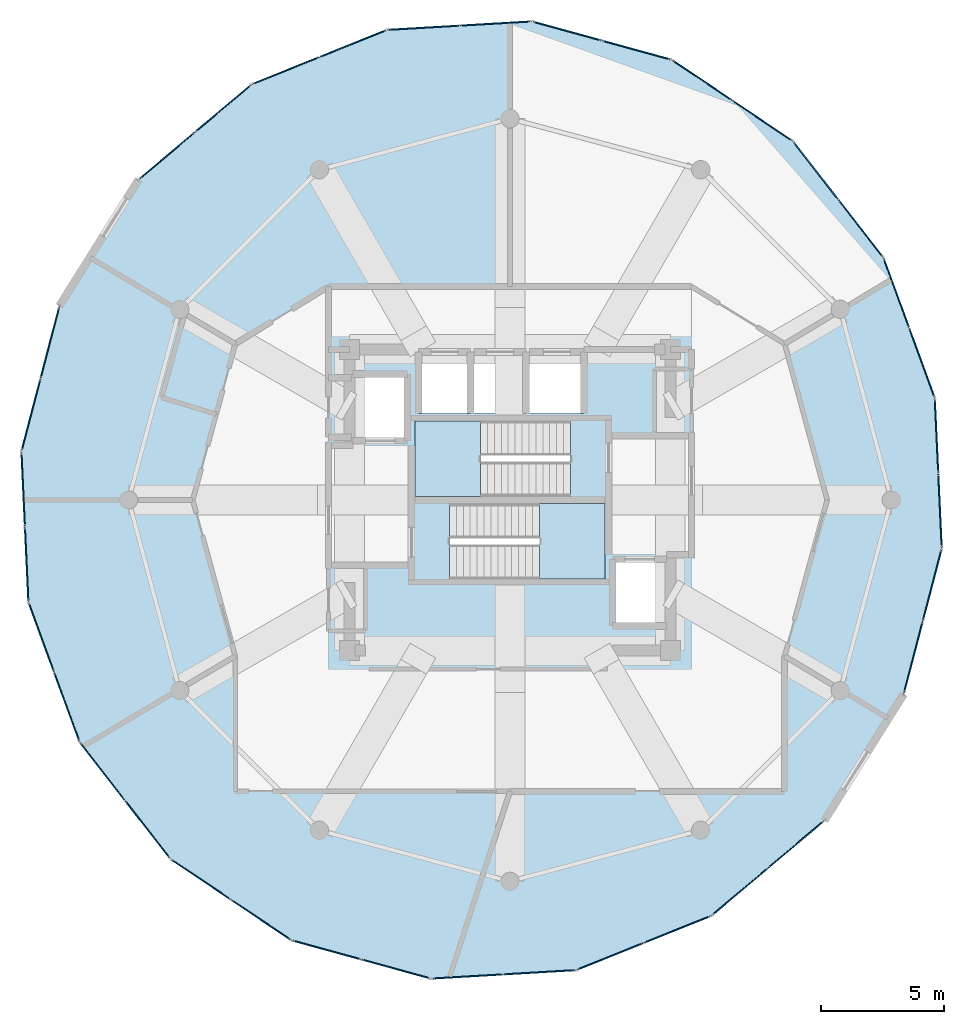
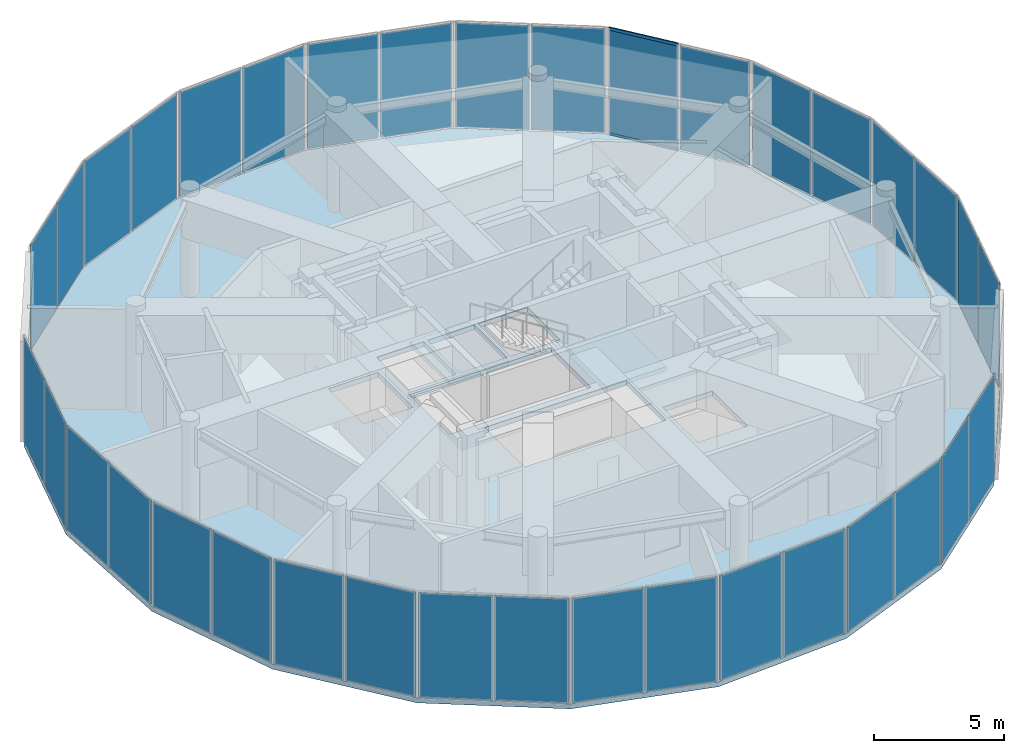
# One storey, part 16 of 20: 36 plates, 3 slabs, 2 members, 20 elements without a shape of their own.
"""IFC4 building model written with IfcOpenShell, lengths in metres."""

from ifc_helpers import new_model, si_unit, direction, frame, origin, origin_2d, place, context, subcontext, project, spatial, polyline, rectangle, hollow_rectangle, outline, extrude, source, transform, mapped, material, layer, layer_set, material_profile, profile_set, type_object, element, aggregate, save


model = new_model("IFC4")

# Units and contexts
model_context = context("Model", 3, precision=1e-05, world=origin(), true_north=direction((0.0, 1.0)))
body_context = subcontext(model_context, "Body", "Model", "MODEL_VIEW")
ifc_project = project(units=[si_unit("LENGTHUNIT", "METRE"), si_unit("AREAUNIT", "SQUARE_METRE"), si_unit("VOLUMEUNIT", "CUBIC_METRE"), si_unit("PLANEANGLEUNIT", "RADIAN"), si_unit("MASSUNIT", "GRAM", prefix="KILO")], contexts=[model_context])

# Site, building, storey
site_placement = place(None, origin())
site = spatial("IfcSite", under=ifc_project, at=site_placement, CompositionType="ELEMENT")
building_placement = place(site_placement, origin())
building = spatial("IfcBuilding", under=site, at=building_placement, Name="Solvirekh Grand Hotel", CompositionType="ELEMENT")
storey_placement = place(building_placement, frame((0.0, 0.0, 297.199951171875)))
storey = spatial("IfcBuildingStorey", under=building, at=storey_placement, Name="L77", CompositionType="ELEMENT", Elevation=297.199951171875)

# Curtain wall, members
ifc_material_1 = material(Name="Anodized Bronze Aluminium 6063-T6", Category="aluminium")
ifc_layer_1 = layer(ifc_material_1, 0.18994140625)
ifc_layer_set_1 = layer_set([ifc_layer_1], Name="Anodized Bronze Aluminium 6063-T6")
curtain_wall_type = type_object("IfcCurtainWallType", Name="CW_Sys5_SkyLobbyPanoramaCW", PredefinedType="NOTDEFINED", material=ifc_layer_set_1)
curtain_wall_1_placement = place(storey_placement, origin())
curtain_wall_1 = element("IfcCurtainWall", 1, at=curtain_wall_1_placement, inside=storey, type_object=curtain_wall_type, Name="L77 unitised bronze-glass curtain wall CW-L77-C08", PredefinedType="NOTDEFINED")
ifc_material_profile = material_profile(ifc_material_1, hollow_rectangle(XDim=0.06005859375, YDim=0.135009765625, WallThickness=0.00390625, at=origin_2d()), Name="ALU RHS 135X60X4")
ifc_profile_set = profile_set([ifc_material_profile], Name="Anodized Bronze Aluminium 6063-T6")
member_type = type_object("IfcMemberType", Name="CWTransom_Sys5", PredefinedType="USERDEFINED", material=ifc_profile_set)
shared_shape_1 = source(origin(), body_context, "Body", "SweptSolid", [
    extrude(hollow_rectangle(XDim=0.06005859375, YDim=0.135009765625, WallThickness=0.00390625, at=origin_2d()), origin(), (0.0, 0.0, 1.0), 2.88720703125),
])
member_1_placement = place(storey_placement, frame((13.275634765625, 12.20263671875, 0.030029296875), z_axis=(-0.613964028864, 0.789334004881, 0.0), x_axis=(-0.789334004881, -0.613964028864, 0.0)))
member_1 = element("IfcMember", 2, at=member_1_placement, type_object=member_type, Name="U05 transom 2.1", ObjectType="TRANSOM", PredefinedType="USERDEFINED", context=body_context, shape_type="MappedRepresentation", body=[
    mapped(shared_shape_1, transform((0.0, 0.0, 0.0), x_axis=(1.0, 0.0, 0.0), y_axis=(0.0, 1.0, 0.0), z_axis=(0.0, 0.0, 1.0), scale=1.0)),
])
member_2_placement = place(storey_placement, frame((13.275634765625, 12.20263671875, 4.969970703125), z_axis=(-0.613964028864, 0.789334004881, 0.0), x_axis=(-0.789334004881, -0.613964028864, 0.0)))
member_2 = element("IfcMember", 3, at=member_2_placement, type_object=member_type, Name="U05 transom 2.2", ObjectType="TRANSOM", PredefinedType="USERDEFINED", context=body_context, shape_type="MappedRepresentation", body=[
    mapped(shared_shape_1, transform((0.0, 0.0, 0.0), x_axis=(1.0, 0.0, 0.0), y_axis=(0.0, 1.0, 0.0), z_axis=(0.0, 0.0, 1.0), scale=1.0)),
])

# Stair, slab
ifc_material_2 = material(Name="Concrete C40/50", Category="concrete")
stair_type = type_object("IfcStairType", Name="Stair_Core_1450", PredefinedType="HALF_TURN_STAIR", material=ifc_material_2)
stair_1_placement = place(storey_placement, origin())
stair_1 = element("IfcStair", 4, at=stair_1_placement, inside=storey, type_object=stair_type, Name="L77 Enclosed exit stair ST-1", PredefinedType="HALF_TURN_STAIR")
ifc_layer_2 = layer(ifc_material_2, 0.199951171875)
ifc_layer_set_2 = layer_set([ifc_layer_2], Name="Concrete C40/50")
slab_type_1 = type_object("IfcSlabType", Name="Landing_Stair_200", PredefinedType="LANDING", material=ifc_layer_set_2)
slab_1_placement = place(storey_placement, frame((0.0, 0.0, 2.300048828125)))
slab_1 = element("IfcSlab", 5, at=slab_1_placement, type_object=slab_type_1, Name="ST-1 landing 1", PredefinedType="LANDING", context=body_context, shape_type="SweptSolid", body=[
    extrude(outline(polyline([(1.18994140625, -3.199951171875), (3.85009765625, -3.199951171875), (3.85009765625, -0.14990234375), (1.18994140625, -0.14990234375), (1.18994140625, -3.199951171875)])), origin(), (0.0, 0.0, 1.0), 0.199951171875),
])
aggregate(stair_1, [slab_1])

stair_2_placement = place(storey_placement, origin())
stair_2 = element("IfcStair", 6, at=stair_2_placement, inside=storey, type_object=stair_type, Name="L77 Enclosed exit stair ST-2", PredefinedType="HALF_TURN_STAIR")
slab_2_placement = place(storey_placement, frame((0.0, 0.0, 2.300048828125)))
slab_2 = element("IfcSlab", 7, at=slab_2_placement, type_object=slab_type_1, Name="ST-2 landing 1", PredefinedType="LANDING", context=body_context, shape_type="SweptSolid", body=[
    extrude(outline(polyline([(-1.18994140625, 3.199951171875), (-3.85009765625, 3.199951171875), (-3.85009765625, 0.14990234375), (-1.18994140625, 0.14990234375), (-1.18994140625, 3.199951171875)])), origin(), (0.0, 0.0, 1.0), 0.199951171875),
])
aggregate(stair_2, [slab_2])

# Slab
ifc_layer_3 = layer(ifc_material_2, 0.22998046875)
ifc_layer_set_3 = layer_set([ifc_layer_3], Name="Concrete C40/50")
slab_type_2 = type_object("IfcSlabType", Name="Slab_GuestZ4_230", PredefinedType="FLOOR", material=ifc_layer_set_3)
slab_3_placement = place(storey_placement, frame((0.0, 0.0, -0.22998046875)))
element("IfcSlab", 8, at=slab_3_placement, inside=storey, type_object=slab_type_2, Name="L77 structural floor slab", PredefinedType="FLOOR", context=body_context, shape_type="SweptSolid", body=[
    extrude(outline(polyline([(-3.18798828125, -19.39306640625), (2.674072265625, -19.050048828125), (8.162109375, -16.841064453125), (12.738037109375, -12.985107421875), (15.955078125, -7.85693359375), (17.4970703125, -1.9599609375), (17.214111328125, 4.12890625), (15.134033203125, 9.81298828125), (11.4599609375, 14.537109375), (6.551025390625, 17.837890625), (0.887939453125, 19.39306640625), (-4.97412109375, 19.050048828125), (-10.4619140625, 16.841064453125), (-15.0380859375, 12.985107421875), (-18.2548828125, 7.85693359375), (-19.797119140625, 1.9599609375), (-19.513916015625, -4.12890625), (-17.43408203125, -9.81298828125), (-13.760009765625, -14.537109375), (-8.85107421875, -17.837890625), (-3.18798828125, -19.39306640625)]), holes=[polyline([(-2.444091796875, -0.14990234375), (3.85009765625, -0.14990234375), (3.85009765625, -3.199951171875), (-2.444091796875, -3.199951171875), (-2.444091796875, -0.14990234375)]), polyline([(2.444091796875, 0.14990234375), (-3.85009765625, 0.14990234375), (-3.85009765625, 3.199951171875), (2.444091796875, 3.199951171875), (2.444091796875, 0.14990234375)]), polyline([(-3.699951171875, 6.0), (-1.60009765625, 6.0), (-1.60009765625, 3.5), (-3.699951171875, 3.5), (-3.699951171875, 6.0)]), polyline([(-1.449951171875, 6.0), (0.64990234375, 6.0), (0.64990234375, 3.5), (-1.449951171875, 3.5), (-1.449951171875, 6.0)]), polyline([(0.800048828125, 6.0), (3.0, 6.0), (3.0, 3.5), (0.800048828125, 3.5), (0.800048828125, 6.0)]), polyline([(-6.35009765625, 5.10009765625), (-4.14990234375, 5.10009765625), (-4.14990234375, 2.39990234375), (-6.35009765625, 2.39990234375), (-6.35009765625, 5.10009765625)]), polyline([(4.14990234375, -2.39990234375), (6.35009765625, -2.39990234375), (6.35009765625, -5.10009765625), (4.14990234375, -5.10009765625), (4.14990234375, -2.39990234375)])]), origin(), (0.0, 0.0, 1.0), 0.22998046875),
])

# Curtain wall, plates
curtain_wall_2_placement = place(storey_placement, origin())
curtain_wall_2 = element("IfcCurtainWall", 9, at=curtain_wall_2_placement, inside=storey, type_object=curtain_wall_type, Name="L77 unitised bronze-glass curtain wall CW-L77-C01", PredefinedType="NOTDEFINED")
ifc_material_3 = material(Name="Low-E Tinted Bronze Laminated Glass", Category="aluminium")
ifc_layer_4 = layer(ifc_material_3, 0.0419921875)
ifc_layer_set_4 = layer_set([ifc_layer_4], Name="Low-E Tinted Bronze Laminated Glass")
plate_type = type_object("IfcPlateType", Name="CWPanel_SkyLobby_42", PredefinedType="CURTAIN_PANEL", material=ifc_layer_set_4)
shared_shape_2 = source(origin(), body_context, "Body", "SweptSolid", [
    extrude(rectangle(XDim=2.8310546875, YDim=0.0419921875, at=origin_2d()), origin(), (0.0, 0.0, 1.0), 4.8798828125),
])
plate_1_placement = place(storey_placement, frame((-1.705078125, -19.30615234375, 0.06005859375), z_axis=(0.0, 0.0, 1.0), x_axis=(0.998292529578, 0.058412544796, 0.0)))
plate_1 = element("IfcPlate", 10, at=plate_1_placement, type_object=plate_type, Name="U05 panel 1.1", PredefinedType="CURTAIN_PANEL", context=body_context, shape_type="MappedRepresentation", body=[
    mapped(shared_shape_2, transform((0.0, 0.0, 0.0), x_axis=(1.0, 0.0, 0.0), y_axis=(0.0, 1.0, 0.0), z_axis=(0.0, 0.0, 1.0), scale=1.0)),
])
plate_2_placement = place(storey_placement, frame((1.19091796875, -19.13671875, 0.06005859375), z_axis=(0.0, 0.0, 1.0), x_axis=(0.998292529578, 0.058412544796, 0.0)))
plate_2 = element("IfcPlate", 11, at=plate_2_placement, type_object=plate_type, Name="U05 panel 2.1", PredefinedType="CURTAIN_PANEL", context=body_context, shape_type="MappedRepresentation", body=[
    mapped(shared_shape_2, transform((0.0, 0.0, 0.0), x_axis=(1.0, 0.0, 0.0), y_axis=(0.0, 1.0, 0.0), z_axis=(0.0, 0.0, 1.0), scale=1.0)),
])
aggregate(curtain_wall_2, [plate_1, plate_2])

curtain_wall_3_placement = place(storey_placement, origin())
curtain_wall_3 = element("IfcCurtainWall", 12, at=curtain_wall_3_placement, inside=storey, type_object=curtain_wall_type, Name="L77 unitised bronze-glass curtain wall CW-L77-C11", PredefinedType="NOTDEFINED")
plate_3_placement = place(storey_placement, frame((-0.594970703125, 19.30615234375, 0.06005859375), z_axis=(0.0, 0.0, 1.0), x_axis=(-0.998292529578, -0.058412544796, 0.0)))
plate_3 = element("IfcPlate", 13, at=plate_3_placement, type_object=plate_type, Name="U05 panel 1.1", PredefinedType="CURTAIN_PANEL", context=body_context, shape_type="MappedRepresentation", body=[
    mapped(shared_shape_2, transform((0.0, 0.0, 0.0), x_axis=(1.0, 0.0, 0.0), y_axis=(0.0, 1.0, 0.0), z_axis=(0.0, 0.0, 1.0), scale=1.0)),
])
plate_4_placement = place(storey_placement, frame((-3.490966796875, 19.13671875, 0.06005859375), z_axis=(0.0, 0.0, 1.0), x_axis=(-0.998292529578, -0.058412544796, 0.0)))
plate_4 = element("IfcPlate", 14, at=plate_4_placement, type_object=plate_type, Name="U05 panel 2.1", PredefinedType="CURTAIN_PANEL", context=body_context, shape_type="MappedRepresentation", body=[
    mapped(shared_shape_2, transform((0.0, 0.0, 0.0), x_axis=(1.0, 0.0, 0.0), y_axis=(0.0, 1.0, 0.0), z_axis=(0.0, 0.0, 1.0), scale=1.0)),
])
aggregate(curtain_wall_3, [plate_3, plate_4])

curtain_wall_4_placement = place(storey_placement, origin())
curtain_wall_4 = element("IfcCurtainWall", 15, at=curtain_wall_4_placement, inside=storey, type_object=curtain_wall_type, Name="L77 unitised bronze-glass curtain wall CW-L77-C02", PredefinedType="NOTDEFINED")
shared_shape_3 = source(origin(), body_context, "Body", "SweptSolid", [
    extrude(rectangle(XDim=2.85302734375, YDim=0.0419921875, at=origin_2d()), origin(), (0.0, 0.0, 1.0), 4.8798828125),
])
plate_5_placement = place(storey_placement, frame((4.062255859375, -18.4912109375, 0.06005859375), z_axis=(0.0, 0.0, 1.0), x_axis=(0.927670134475, 0.373400752013, 0.0)))
plate_5 = element("IfcPlate", 16, at=plate_5_placement, type_object=plate_type, Name="U05 panel 1.1", PredefinedType="CURTAIN_PANEL", context=body_context, shape_type="MappedRepresentation", body=[
    mapped(shared_shape_3, transform((0.0, 0.0, 0.0), x_axis=(1.0, 0.0, 0.0), y_axis=(0.0, 1.0, 0.0), z_axis=(0.0, 0.0, 1.0), scale=1.0)),
])
plate_6_placement = place(storey_placement, frame((6.773681640625, -17.39990234375, 0.06005859375), z_axis=(0.0, 0.0, 1.0), x_axis=(0.927670134475, 0.373400752013, 0.0)))
plate_6 = element("IfcPlate", 17, at=plate_6_placement, type_object=plate_type, Name="U05 panel 2.1", PredefinedType="CURTAIN_PANEL", context=body_context, shape_type="MappedRepresentation", body=[
    mapped(shared_shape_3, transform((0.0, 0.0, 0.0), x_axis=(1.0, 0.0, 0.0), y_axis=(0.0, 1.0, 0.0), z_axis=(0.0, 0.0, 1.0), scale=1.0)),
])
aggregate(curtain_wall_4, [plate_5, plate_6])

curtain_wall_5_placement = place(storey_placement, origin())
curtain_wall_5 = element("IfcCurtainWall", 18, at=curtain_wall_5_placement, inside=storey, type_object=curtain_wall_type, Name="L77 unitised bronze-glass curtain wall CW-L77-C12", PredefinedType="NOTDEFINED")
plate_7_placement = place(storey_placement, frame((-6.3623046875, 18.4912109375, 0.06005859375), z_axis=(0.0, 0.0, 1.0), x_axis=(-0.927670134475, -0.373400752013, 0.0)))
plate_7 = element("IfcPlate", 19, at=plate_7_placement, type_object=plate_type, Name="U05 panel 1.1", PredefinedType="CURTAIN_PANEL", context=body_context, shape_type="MappedRepresentation", body=[
    mapped(shared_shape_3, transform((0.0, 0.0, 0.0), x_axis=(1.0, 0.0, 0.0), y_axis=(0.0, 1.0, 0.0), z_axis=(0.0, 0.0, 1.0), scale=1.0)),
])
plate_8_placement = place(storey_placement, frame((-9.07373046875, 17.39990234375, 0.06005859375), z_axis=(0.0, 0.0, 1.0), x_axis=(-0.927670134475, -0.373400752013, 0.0)))
plate_8 = element("IfcPlate", 20, at=plate_8_placement, type_object=plate_type, Name="U05 panel 2.1", PredefinedType="CURTAIN_PANEL", context=body_context, shape_type="MappedRepresentation", body=[
    mapped(shared_shape_3, transform((0.0, 0.0, 0.0), x_axis=(1.0, 0.0, 0.0), y_axis=(0.0, 1.0, 0.0), z_axis=(0.0, 0.0, 1.0), scale=1.0)),
])
aggregate(curtain_wall_5, [plate_7, plate_8])

curtain_wall_6_placement = place(storey_placement, origin())
curtain_wall_6 = element("IfcCurtainWall", 21, at=curtain_wall_6_placement, inside=storey, type_object=curtain_wall_type, Name="L77 unitised bronze-glass curtain wall CW-L77-C03", PredefinedType="NOTDEFINED")
shared_shape_4 = source(origin(), body_context, "Body", "SweptSolid", [
    extrude(rectangle(XDim=2.886962890625, YDim=0.0419921875, at=origin_2d()), origin(), (0.0, 0.0, 1.0), 4.8798828125),
])
plate_9_placement = place(storey_placement, frame((9.3193359375, -15.86572265625, 0.06005859375), z_axis=(0.0, 0.0, 1.0), x_axis=(0.764703148856, 0.644382723333, 0.0)))
plate_9 = element("IfcPlate", 22, at=plate_9_placement, type_object=plate_type, Name="U05 panel 1.1", PredefinedType="CURTAIN_PANEL", context=body_context, shape_type="MappedRepresentation", body=[
    mapped(shared_shape_4, transform((0.0, 0.0, 0.0), x_axis=(1.0, 0.0, 0.0), y_axis=(0.0, 1.0, 0.0), z_axis=(0.0, 0.0, 1.0), scale=1.0)),
])
plate_10_placement = place(storey_placement, frame((11.58056640625, -13.960205078125, 0.06005859375), z_axis=(0.0, 0.0, 1.0), x_axis=(0.764703148856, 0.644382723333, 0.0)))
plate_10 = element("IfcPlate", 23, at=plate_10_placement, type_object=plate_type, Name="U05 panel 2.1", PredefinedType="CURTAIN_PANEL", context=body_context, shape_type="MappedRepresentation", body=[
    mapped(shared_shape_4, transform((0.0, 0.0, 0.0), x_axis=(1.0, 0.0, 0.0), y_axis=(0.0, 1.0, 0.0), z_axis=(0.0, 0.0, 1.0), scale=1.0)),
])
aggregate(curtain_wall_6, [plate_9, plate_10])

curtain_wall_7_placement = place(storey_placement, origin())
curtain_wall_7 = element("IfcCurtainWall", 24, at=curtain_wall_7_placement, inside=storey, type_object=curtain_wall_type, Name="L77 unitised bronze-glass curtain wall CW-L77-C13", PredefinedType="NOTDEFINED")
plate_11_placement = place(storey_placement, frame((-11.619384765625, 15.86572265625, 0.06005859375), z_axis=(0.0, 0.0, 1.0), x_axis=(-0.764703148856, -0.644382723333, 0.0)))
plate_11 = element("IfcPlate", 25, at=plate_11_placement, type_object=plate_type, Name="U05 panel 1.1", PredefinedType="CURTAIN_PANEL", context=body_context, shape_type="MappedRepresentation", body=[
    mapped(shared_shape_4, transform((0.0, 0.0, 0.0), x_axis=(1.0, 0.0, 0.0), y_axis=(0.0, 1.0, 0.0), z_axis=(0.0, 0.0, 1.0), scale=1.0)),
])
plate_12_placement = place(storey_placement, frame((-13.880615234375, 13.960205078125, 0.06005859375), z_axis=(0.0, 0.0, 1.0), x_axis=(-0.764703148856, -0.644382723333, 0.0)))
plate_12 = element("IfcPlate", 26, at=plate_12_placement, type_object=plate_type, Name="U05 panel 2.1", PredefinedType="CURTAIN_PANEL", context=body_context, shape_type="MappedRepresentation", body=[
    mapped(shared_shape_4, transform((0.0, 0.0, 0.0), x_axis=(1.0, 0.0, 0.0), y_axis=(0.0, 1.0, 0.0), z_axis=(0.0, 0.0, 1.0), scale=1.0)),
])
aggregate(curtain_wall_7, [plate_11, plate_12])

curtain_wall_8_placement = place(storey_placement, origin())
curtain_wall_8 = element("IfcCurtainWall", 27, at=curtain_wall_8_placement, inside=storey, type_object=curtain_wall_type, Name="L77 unitised bronze-glass curtain wall CW-L77-C05", PredefinedType="NOTDEFINED")
shared_shape_5 = source(origin(), body_context, "Body", "SweptSolid", [
    extrude(rectangle(XDim=2.942626953125, YDim=0.0419921875, at=origin_2d()), origin(), (0.0, 0.0, 1.0), 4.8798828125),
])
plate_13_placement = place(storey_placement, frame((16.344970703125, -6.36572265625, 0.06005859375), z_axis=(0.0, 0.0, 1.0), x_axis=(0.252982857998, 0.967470761088, 0.0)))
plate_13 = element("IfcPlate", 28, at=plate_13_placement, type_object=plate_type, Name="U05 panel 1.1", PredefinedType="CURTAIN_PANEL", context=body_context, shape_type="MappedRepresentation", body=[
    mapped(shared_shape_5, transform((0.0, 0.0, 0.0), x_axis=(1.0, 0.0, 0.0), y_axis=(0.0, 1.0, 0.0), z_axis=(0.0, 0.0, 1.0), scale=1.0)),
])
plate_14_placement = place(storey_placement, frame((17.107177734375, -3.451171875, 0.06005859375), z_axis=(0.0, 0.0, 1.0), x_axis=(0.252982857998, 0.967470761088, 0.0)))
plate_14 = element("IfcPlate", 29, at=plate_14_placement, type_object=plate_type, Name="U05 panel 2.1", PredefinedType="CURTAIN_PANEL", context=body_context, shape_type="MappedRepresentation", body=[
    mapped(shared_shape_5, transform((0.0, 0.0, 0.0), x_axis=(1.0, 0.0, 0.0), y_axis=(0.0, 1.0, 0.0), z_axis=(0.0, 0.0, 1.0), scale=1.0)),
])
aggregate(curtain_wall_8, [plate_13, plate_14])

curtain_wall_9_placement = place(storey_placement, origin())
curtain_wall_9 = element("IfcCurtainWall", 30, at=curtain_wall_9_placement, inside=storey, type_object=curtain_wall_type, Name="L77 unitised bronze-glass curtain wall CW-L77-C15", PredefinedType="NOTDEFINED")
plate_15_placement = place(storey_placement, frame((-18.64501953125, 6.36572265625, 0.06005859375), z_axis=(0.0, 0.0, 1.0), x_axis=(-0.252982857998, -0.967470761088, 0.0)))
plate_15 = element("IfcPlate", 31, at=plate_15_placement, type_object=plate_type, Name="U05 panel 1.1", PredefinedType="CURTAIN_PANEL", context=body_context, shape_type="MappedRepresentation", body=[
    mapped(shared_shape_5, transform((0.0, 0.0, 0.0), x_axis=(1.0, 0.0, 0.0), y_axis=(0.0, 1.0, 0.0), z_axis=(0.0, 0.0, 1.0), scale=1.0)),
])
plate_16_placement = place(storey_placement, frame((-19.406982421875, 3.451171875, 0.06005859375), z_axis=(0.0, 0.0, 1.0), x_axis=(-0.252982857998, -0.967470761088, 0.0)))
plate_16 = element("IfcPlate", 32, at=plate_16_placement, type_object=plate_type, Name="U05 panel 2.1", PredefinedType="CURTAIN_PANEL", context=body_context, shape_type="MappedRepresentation", body=[
    mapped(shared_shape_5, transform((0.0, 0.0, 0.0), x_axis=(1.0, 0.0, 0.0), y_axis=(0.0, 1.0, 0.0), z_axis=(0.0, 0.0, 1.0), scale=1.0)),
])
aggregate(curtain_wall_9, [plate_15, plate_16])

curtain_wall_10_placement = place(storey_placement, origin())
curtain_wall_10 = element("IfcCurtainWall", 33, at=curtain_wall_10_placement, inside=storey, type_object=curtain_wall_type, Name="L77 unitised bronze-glass curtain wall CW-L77-C06", PredefinedType="NOTDEFINED")
shared_shape_6 = source(origin(), body_context, "Body", "SweptSolid", [
    extrude(rectangle(XDim=2.94287109375, YDim=0.0419921875, at=origin_2d()), origin(), (0.0, 0.0, 1.0), 4.8798828125),
])
plate_17_placement = place(storey_placement, frame((17.425537109375, -0.420166015625, 0.06005859375), z_axis=(0.0, 0.0, 1.0), x_axis=(-0.046427136666, 0.998921679103, 0.0)))
plate_17 = element("IfcPlate", 34, at=plate_17_placement, type_object=plate_type, Name="U05 panel 1.1", PredefinedType="CURTAIN_PANEL", context=body_context, shape_type="MappedRepresentation", body=[
    mapped(shared_shape_6, transform((0.0, 0.0, 0.0), x_axis=(1.0, 0.0, 0.0), y_axis=(0.0, 1.0, 0.0), z_axis=(0.0, 0.0, 1.0), scale=1.0)),
])
plate_18_placement = place(storey_placement, frame((17.28564453125, 2.58935546875, 0.06005859375), z_axis=(0.0, 0.0, 1.0), x_axis=(-0.046427136666, 0.998921679103, 0.0)))
plate_18 = element("IfcPlate", 35, at=plate_18_placement, type_object=plate_type, Name="U05 panel 2.1", PredefinedType="CURTAIN_PANEL", context=body_context, shape_type="MappedRepresentation", body=[
    mapped(shared_shape_6, transform((0.0, 0.0, 0.0), x_axis=(1.0, 0.0, 0.0), y_axis=(0.0, 1.0, 0.0), z_axis=(0.0, 0.0, 1.0), scale=1.0)),
])
aggregate(curtain_wall_10, [plate_17, plate_18])

curtain_wall_11_placement = place(storey_placement, origin())
curtain_wall_11 = element("IfcCurtainWall", 36, at=curtain_wall_11_placement, inside=storey, type_object=curtain_wall_type, Name="L77 unitised bronze-glass curtain wall CW-L77-C16", PredefinedType="NOTDEFINED")
plate_19_placement = place(storey_placement, frame((-19.725341796875, 0.420166015625, 0.06005859375), z_axis=(0.0, 0.0, 1.0), x_axis=(0.046427136666, -0.998921679103, 0.0)))
plate_19 = element("IfcPlate", 37, at=plate_19_placement, type_object=plate_type, Name="U05 panel 1.1", PredefinedType="CURTAIN_PANEL", context=body_context, shape_type="MappedRepresentation", body=[
    mapped(shared_shape_6, transform((0.0, 0.0, 0.0), x_axis=(1.0, 0.0, 0.0), y_axis=(0.0, 1.0, 0.0), z_axis=(0.0, 0.0, 1.0), scale=1.0)),
])
plate_20_placement = place(storey_placement, frame((-19.58544921875, -2.58935546875, 0.06005859375), z_axis=(0.0, 0.0, 1.0), x_axis=(0.046427136666, -0.998921679103, 0.0)))
plate_20 = element("IfcPlate", 38, at=plate_20_placement, type_object=plate_type, Name="U05 panel 2.1", PredefinedType="CURTAIN_PANEL", context=body_context, shape_type="MappedRepresentation", body=[
    mapped(shared_shape_6, transform((0.0, 0.0, 0.0), x_axis=(1.0, 0.0, 0.0), y_axis=(0.0, 1.0, 0.0), z_axis=(0.0, 0.0, 1.0), scale=1.0)),
])
aggregate(curtain_wall_11, [plate_19, plate_20])

curtain_wall_12_placement = place(storey_placement, origin())
curtain_wall_12 = element("IfcCurtainWall", 39, at=curtain_wall_12_placement, inside=storey, type_object=curtain_wall_type, Name="L77 unitised bronze-glass curtain wall CW-L77-C07", PredefinedType="NOTDEFINED")
shared_shape_7 = source(origin(), body_context, "Body", "SweptSolid", [
    extrude(rectangle(XDim=2.92138671875, YDim=0.0419921875, at=origin_2d()), origin(), (0.0, 0.0, 1.0), 4.8798828125),
])
plate_21_placement = place(storey_placement, frame((16.68798828125, 5.56640625, 0.06005859375), z_axis=(0.0, 0.0, 1.0), x_axis=(-0.343652610251, 0.939096844563, 0.0)))
plate_21 = element("IfcPlate", 40, at=plate_21_placement, type_object=plate_type, Name="U05 panel 1.1", PredefinedType="CURTAIN_PANEL", context=body_context, shape_type="MappedRepresentation", body=[
    mapped(shared_shape_7, transform((0.0, 0.0, 0.0), x_axis=(1.0, 0.0, 0.0), y_axis=(0.0, 1.0, 0.0), z_axis=(0.0, 0.0, 1.0), scale=1.0)),
])
plate_22_placement = place(storey_placement, frame((15.659912109375, 8.37548828125, 0.06005859375), z_axis=(0.0, 0.0, 1.0), x_axis=(-0.343652610251, 0.939096844563, 0.0)))
plate_22 = element("IfcPlate", 41, at=plate_22_placement, type_object=plate_type, Name="U05 panel 2.1", PredefinedType="CURTAIN_PANEL", context=body_context, shape_type="MappedRepresentation", body=[
    mapped(shared_shape_7, transform((0.0, 0.0, 0.0), x_axis=(1.0, 0.0, 0.0), y_axis=(0.0, 1.0, 0.0), z_axis=(0.0, 0.0, 1.0), scale=1.0)),
])
aggregate(curtain_wall_12, [plate_21, plate_22])

curtain_wall_13_placement = place(storey_placement, origin())
curtain_wall_13 = element("IfcCurtainWall", 42, at=curtain_wall_13_placement, inside=storey, type_object=curtain_wall_type, Name="L77 unitised bronze-glass curtain wall CW-L77-C17", PredefinedType="NOTDEFINED")
plate_23_placement = place(storey_placement, frame((-18.988037109375, -5.56640625, 0.06005859375), z_axis=(0.0, 0.0, 1.0), x_axis=(0.343652610251, -0.939096844563, 0.0)))
plate_23 = element("IfcPlate", 43, at=plate_23_placement, type_object=plate_type, Name="U05 panel 1.1", PredefinedType="CURTAIN_PANEL", context=body_context, shape_type="MappedRepresentation", body=[
    mapped(shared_shape_7, transform((0.0, 0.0, 0.0), x_axis=(1.0, 0.0, 0.0), y_axis=(0.0, 1.0, 0.0), z_axis=(0.0, 0.0, 1.0), scale=1.0)),
])
plate_24_placement = place(storey_placement, frame((-17.9599609375, -8.37548828125, 0.06005859375), z_axis=(0.0, 0.0, 1.0), x_axis=(0.343652610251, -0.939096844563, 0.0)))
plate_24 = element("IfcPlate", 44, at=plate_24_placement, type_object=plate_type, Name="U05 panel 2.1", PredefinedType="CURTAIN_PANEL", context=body_context, shape_type="MappedRepresentation", body=[
    mapped(shared_shape_7, transform((0.0, 0.0, 0.0), x_axis=(1.0, 0.0, 0.0), y_axis=(0.0, 1.0, 0.0), z_axis=(0.0, 0.0, 1.0), scale=1.0)),
])
aggregate(curtain_wall_13, [plate_23, plate_24])

# Plate
shared_shape_8 = source(origin(), body_context, "Body", "SweptSolid", [
    extrude(rectangle(XDim=2.88720703125, YDim=0.0419921875, at=origin_2d()), origin(), (0.0, 0.0, 1.0), 4.8798828125),
])
plate_25_placement = place(storey_placement, frame((14.204833984375, 11.0078125, 0.06005859375), z_axis=(0.0, 0.0, 1.0), x_axis=(-0.613917476624, 0.789370212192, 0.0)))
plate_25 = element("IfcPlate", 45, at=plate_25_placement, type_object=plate_type, Name="U05 panel 1.1", PredefinedType="CURTAIN_PANEL", context=body_context, shape_type="MappedRepresentation", body=[
    mapped(shared_shape_8, transform((0.0, 0.0, 0.0), x_axis=(1.0, 0.0, 0.0), y_axis=(0.0, 1.0, 0.0), z_axis=(0.0, 0.0, 1.0), scale=1.0)),
])

plate_26_placement = place(storey_placement, frame((12.38916015625, 13.34228515625, 0.06005859375), z_axis=(0.0, 0.0, 1.0), x_axis=(-0.613917476624, 0.789370212192, 0.0)))
plate_26 = element("IfcPlate", 46, at=plate_26_placement, type_object=plate_type, Name="U05 panel 2.1", PredefinedType="CURTAIN_PANEL", context=body_context, shape_type="MappedRepresentation", body=[
    mapped(shared_shape_8, transform((0.0, 0.0, 0.0), x_axis=(1.0, 0.0, 0.0), y_axis=(0.0, 1.0, 0.0), z_axis=(0.0, 0.0, 1.0), scale=1.0)),
])

aggregate(curtain_wall_1, [plate_25, member_1, member_2, plate_26])

# Curtain wall, plates
curtain_wall_14_placement = place(storey_placement, origin())
curtain_wall_14 = element("IfcCurtainWall", 47, at=curtain_wall_14_placement, inside=storey, type_object=curtain_wall_type, Name="L77 unitised bronze-glass curtain wall CW-L77-C18", PredefinedType="NOTDEFINED")
plate_27_placement = place(storey_placement, frame((-16.504638671875, -11.0078125, 0.06005859375), z_axis=(0.0, 0.0, 1.0), x_axis=(0.613917476624, -0.789370212192, 0.0)))
plate_27 = element("IfcPlate", 48, at=plate_27_placement, type_object=plate_type, Name="U05 panel 1.1", PredefinedType="CURTAIN_PANEL", context=body_context, shape_type="MappedRepresentation", body=[
    mapped(shared_shape_8, transform((0.0, 0.0, 0.0), x_axis=(1.0, 0.0, 0.0), y_axis=(0.0, 1.0, 0.0), z_axis=(0.0, 0.0, 1.0), scale=1.0)),
])
plate_28_placement = place(storey_placement, frame((-14.689208984375, -13.34228515625, 0.06005859375), z_axis=(0.0, 0.0, 1.0), x_axis=(0.613917476624, -0.789370212192, 0.0)))
plate_28 = element("IfcPlate", 49, at=plate_28_placement, type_object=plate_type, Name="U05 panel 2.1", PredefinedType="CURTAIN_PANEL", context=body_context, shape_type="MappedRepresentation", body=[
    mapped(shared_shape_8, transform((0.0, 0.0, 0.0), x_axis=(1.0, 0.0, 0.0), y_axis=(0.0, 1.0, 0.0), z_axis=(0.0, 0.0, 1.0), scale=1.0)),
])
aggregate(curtain_wall_14, [plate_27, plate_28])

curtain_wall_15_placement = place(storey_placement, origin())
curtain_wall_15 = element("IfcCurtainWall", 50, at=curtain_wall_15_placement, inside=storey, type_object=curtain_wall_type, Name="L77 unitised bronze-glass curtain wall CW-L77-C09", PredefinedType="NOTDEFINED")
shared_shape_9 = source(origin(), body_context, "Body", "SweptSolid", [
    extrude(rectangle(XDim=2.852783203125, YDim=0.0419921875, at=origin_2d()), origin(), (0.0, 0.0, 1.0), 4.8798828125),
])
plate_29_placement = place(storey_placement, frame((10.21826171875, 15.3720703125, 0.06005859375), z_axis=(0.0, 0.0, 1.0), x_axis=(-0.829833122168, 0.558011639084, 0.0)))
plate_29 = element("IfcPlate", 51, at=plate_29_placement, type_object=plate_type, Name="U05 panel 1.1", PredefinedType="CURTAIN_PANEL", context=body_context, shape_type="MappedRepresentation", body=[
    mapped(shared_shape_9, transform((0.0, 0.0, 0.0), x_axis=(1.0, 0.0, 0.0), y_axis=(0.0, 1.0, 0.0), z_axis=(0.0, 0.0, 1.0), scale=1.0)),
])
plate_30_placement = place(storey_placement, frame((7.792724609375, 17.0029296875, 0.06005859375), z_axis=(0.0, 0.0, 1.0), x_axis=(-0.829833122168, 0.558011639084, 0.0)))
plate_30 = element("IfcPlate", 52, at=plate_30_placement, type_object=plate_type, Name="U05 panel 2.1", PredefinedType="CURTAIN_PANEL", context=body_context, shape_type="MappedRepresentation", body=[
    mapped(shared_shape_9, transform((0.0, 0.0, 0.0), x_axis=(1.0, 0.0, 0.0), y_axis=(0.0, 1.0, 0.0), z_axis=(0.0, 0.0, 1.0), scale=1.0)),
])
aggregate(curtain_wall_15, [plate_29, plate_30])

curtain_wall_16_placement = place(storey_placement, origin())
curtain_wall_16 = element("IfcCurtainWall", 53, at=curtain_wall_16_placement, inside=storey, type_object=curtain_wall_type, Name="L77 unitised bronze-glass curtain wall CW-L77-C19", PredefinedType="NOTDEFINED")
plate_31_placement = place(storey_placement, frame((-12.518310546875, -15.3720703125, 0.06005859375), z_axis=(0.0, 0.0, 1.0), x_axis=(0.829833122168, -0.558011639084, 0.0)))
plate_31 = element("IfcPlate", 54, at=plate_31_placement, type_object=plate_type, Name="U05 panel 1.1", PredefinedType="CURTAIN_PANEL", context=body_context, shape_type="MappedRepresentation", body=[
    mapped(shared_shape_9, transform((0.0, 0.0, 0.0), x_axis=(1.0, 0.0, 0.0), y_axis=(0.0, 1.0, 0.0), z_axis=(0.0, 0.0, 1.0), scale=1.0)),
])
plate_32_placement = place(storey_placement, frame((-10.0927734375, -17.0029296875, 0.06005859375), z_axis=(0.0, 0.0, 1.0), x_axis=(0.829833122168, -0.558011639084, 0.0)))
plate_32 = element("IfcPlate", 55, at=plate_32_placement, type_object=plate_type, Name="U05 panel 2.1", PredefinedType="CURTAIN_PANEL", context=body_context, shape_type="MappedRepresentation", body=[
    mapped(shared_shape_9, transform((0.0, 0.0, 0.0), x_axis=(1.0, 0.0, 0.0), y_axis=(0.0, 1.0, 0.0), z_axis=(0.0, 0.0, 1.0), scale=1.0)),
])
aggregate(curtain_wall_16, [plate_31, plate_32])

curtain_wall_17_placement = place(storey_placement, origin())
curtain_wall_17 = element("IfcCurtainWall", 56, at=curtain_wall_17_placement, inside=storey, type_object=curtain_wall_type, Name="L77 unitised bronze-glass curtain wall CW-L77-C10", PredefinedType="NOTDEFINED")
shared_shape_10 = source(origin(), body_context, "Body", "SweptSolid", [
    extrude(rectangle(XDim=2.831298828125, YDim=0.0419921875, at=origin_2d()), origin(), (0.0, 0.0, 1.0), 4.8798828125),
])
plate_33_placement = place(storey_placement, frame((5.118408203125, 18.2314453125, 0.06005859375), z_axis=(0.0, 0.0, 1.0), x_axis=(-0.964306541848, 0.264788393532, 0.0)))
plate_33 = element("IfcPlate", 57, at=plate_33_placement, type_object=plate_type, Name="U05 panel 1.1", PredefinedType="CURTAIN_PANEL", context=body_context, shape_type="MappedRepresentation", body=[
    mapped(shared_shape_10, transform((0.0, 0.0, 0.0), x_axis=(1.0, 0.0, 0.0), y_axis=(0.0, 1.0, 0.0), z_axis=(0.0, 0.0, 1.0), scale=1.0)),
])
plate_34_placement = place(storey_placement, frame((2.320556640625, 18.99951171875, 0.06005859375), z_axis=(0.0, 0.0, 1.0), x_axis=(-0.964306541848, 0.264788393532, 0.0)))
plate_34 = element("IfcPlate", 58, at=plate_34_placement, type_object=plate_type, Name="U05 panel 2.1", PredefinedType="CURTAIN_PANEL", context=body_context, shape_type="MappedRepresentation", body=[
    mapped(shared_shape_10, transform((0.0, 0.0, 0.0), x_axis=(1.0, 0.0, 0.0), y_axis=(0.0, 1.0, 0.0), z_axis=(0.0, 0.0, 1.0), scale=1.0)),
])
aggregate(curtain_wall_17, [plate_33, plate_34])

curtain_wall_18_placement = place(storey_placement, origin())
curtain_wall_18 = element("IfcCurtainWall", 59, at=curtain_wall_18_placement, inside=storey, type_object=curtain_wall_type, Name="L77 unitised bronze-glass curtain wall CW-L77-C20", PredefinedType="NOTDEFINED")
plate_35_placement = place(storey_placement, frame((-7.41845703125, -18.2314453125, 0.06005859375), z_axis=(0.0, 0.0, 1.0), x_axis=(0.964306541848, -0.264788393532, 0.0)))
plate_35 = element("IfcPlate", 60, at=plate_35_placement, type_object=plate_type, Name="U05 panel 1.1", PredefinedType="CURTAIN_PANEL", context=body_context, shape_type="MappedRepresentation", body=[
    mapped(shared_shape_10, transform((0.0, 0.0, 0.0), x_axis=(1.0, 0.0, 0.0), y_axis=(0.0, 1.0, 0.0), z_axis=(0.0, 0.0, 1.0), scale=1.0)),
])
plate_36_placement = place(storey_placement, frame((-4.62060546875, -18.99951171875, 0.06005859375), z_axis=(0.0, 0.0, 1.0), x_axis=(0.964306541848, -0.264788393532, 0.0)))
plate_36 = element("IfcPlate", 61, at=plate_36_placement, type_object=plate_type, Name="U05 panel 2.1", PredefinedType="CURTAIN_PANEL", context=body_context, shape_type="MappedRepresentation", body=[
    mapped(shared_shape_10, transform((0.0, 0.0, 0.0), x_axis=(1.0, 0.0, 0.0), y_axis=(0.0, 1.0, 0.0), z_axis=(0.0, 0.0, 1.0), scale=1.0)),
])
aggregate(curtain_wall_18, [plate_35, plate_36])

save(model, "model.ifc")
